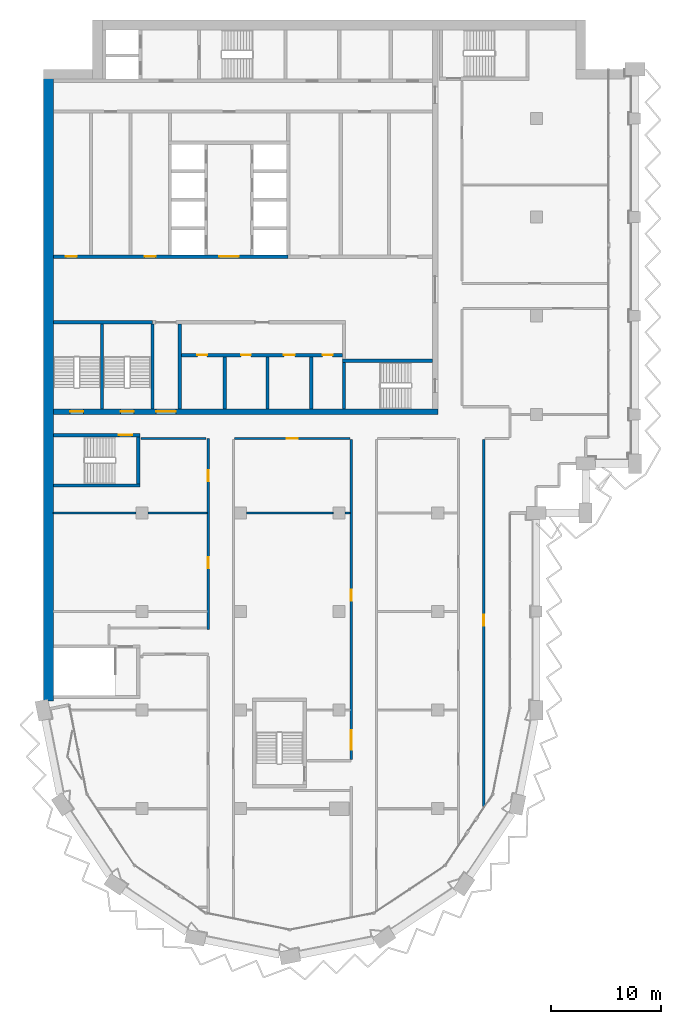
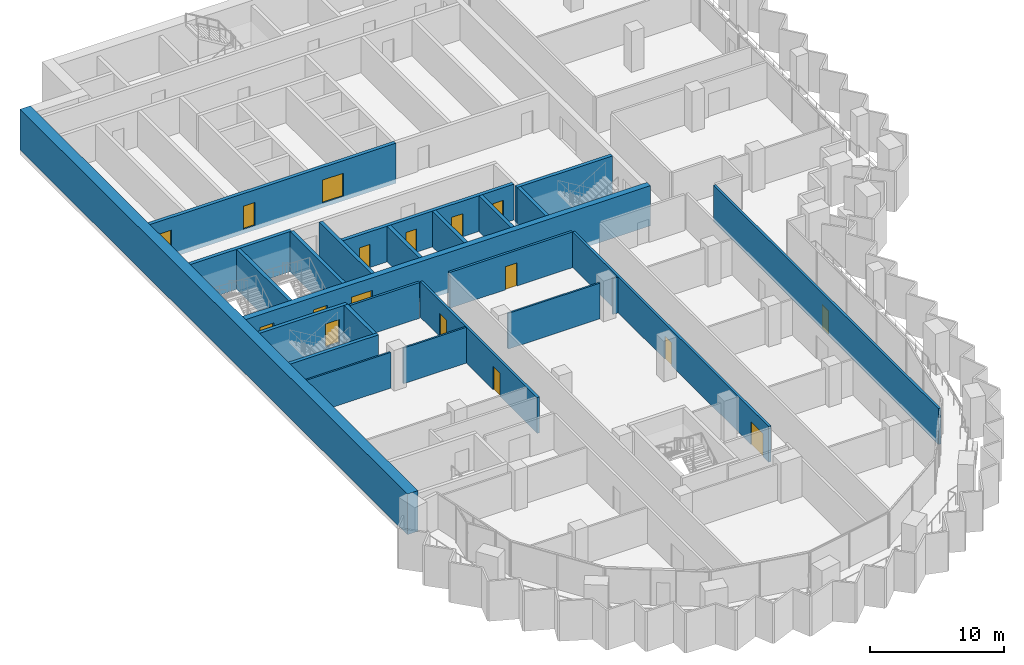
# One storey, part 10 of 18: 25 walls, 17 doors, 17 openings.
"""IFC4 building model written with IfcOpenShell, lengths in metres."""

from ifc_helpers import new_model, si_unit, direction, frame, frame_2d, origin, place, context, subcontext, project, spatial, rectangle, extrude, material, layer, layer_set, type_object, element, fill, save


model = new_model("IFC4")

# Units and contexts
model_context = context("Model", 3, precision=1e-05, world=origin(), true_north=direction((0.0, 1.0)))
body_context = subcontext(model_context, "Body", "Model", "MODEL_VIEW")
ifc_project = project(units=[si_unit("LENGTHUNIT", "METRE"), si_unit("AREAUNIT", "SQUARE_METRE"), si_unit("VOLUMEUNIT", "CUBIC_METRE"), si_unit("PLANEANGLEUNIT", "RADIAN"), si_unit("MASSUNIT", "GRAM", prefix="KILO")], contexts=[model_context])

# Site, building, storey
site_placement = place(None, origin())
site = spatial("IfcSite", under=ifc_project, at=site_placement, CompositionType="ELEMENT")
building_placement = place(site_placement, origin())
building = spatial("IfcBuilding", under=site, at=building_placement, Name="Hunhe Ridgeline Campus", CompositionType="ELEMENT")
storey_placement = place(building_placement, frame((0.0, 0.0, 223.5)))
storey = spatial("IfcBuildingStorey", under=building, at=storey_placement, Name="L57", CompositionType="ELEMENT", Elevation=223.5)

# Wall, openings, doors
ifc_material_1 = material(Name="Masonry concrete blockwork", Category="masonry")
ifc_layer_1 = layer(ifc_material_1, 0.300048828125)
ifc_layer_set_1 = layer_set([ifc_layer_1], Name="Core room partition 300 concrete block")
wall_type_1 = type_object("IfcWallType", Name="Core room partition 300 concrete block", PredefinedType="PARTITIONING", material=ifc_layer_set_1)
wall_1_placement = place(storey_placement, frame((12.60009765625, 68.39990234375, 0.0), z_axis=(0.0, 0.0, 1.0), x_axis=(1.0, 0.0, 0.0)))
wall_1 = element("IfcWall", 1, at=wall_1_placement, inside=storey, type_object=wall_type_1, Name="L57 core partition 9", PredefinedType="PARTITIONING", context=body_context, shape_type="SweptSolid", body=[
    extrude(rectangle(XDim=14.699951171875, YDim=0.300048828125, at=frame_2d((7.35009765625, 0.0))), origin(), (0.0, 0.0, 1.0), 3.25),
])
opening_1_placement = place(wall_1_placement, frame((1.449951171875, 0.0, 0.0)))
opening_1 = element("IfcOpeningElement", 2, at=opening_1_placement, cuts=wall_1, Name="Opening CD8", PredefinedType="OPENING", context=body_context, shape_type="SweptSolid", body=[
    extrude(rectangle(XDim=0.89990234375, YDim=2.10009765625, at=frame_2d((0.449951171875, 1.050048828125))), frame((0.0, 0.14990234375, 0.0), z_axis=(0.0, -1.0, 0.0), x_axis=(1.0, 0.0, 0.0)), (0.0, 0.0, 1.0), 0.300048828125),
])
opening_2_placement = place(wall_1_placement, frame((5.449951171875, 0.0, 0.0)))
opening_2 = element("IfcOpeningElement", 3, at=opening_2_placement, cuts=wall_1, Name="Opening CD9", PredefinedType="OPENING", context=body_context, shape_type="SweptSolid", body=[
    extrude(rectangle(XDim=0.89990234375, YDim=2.10009765625, at=frame_2d((0.449951171875, 1.050048828125))), frame((0.0, 0.14990234375, 0.0), z_axis=(0.0, -1.0, 0.0), x_axis=(1.0, 0.0, 0.0)), (0.0, 0.0, 1.0), 0.300048828125),
])
opening_3_placement = place(wall_1_placement, frame((9.35009765625, 0.0, 0.0)))
opening_3 = element("IfcOpeningElement", 4, at=opening_3_placement, cuts=wall_1, Name="Opening CD10", PredefinedType="OPENING", context=body_context, shape_type="SweptSolid", body=[
    extrude(rectangle(XDim=1.0, YDim=2.10009765625, at=frame_2d((0.5, 1.050048828125))), frame((0.0, 0.14990234375, 0.0), z_axis=(0.0, -1.0, 0.0), x_axis=(1.0, 0.0, 0.0)), (0.0, 0.0, 1.0), 0.300048828125),
])
opening_4_placement = place(wall_1_placement, frame((12.89990234375, 0.0, 0.0)))
opening_4 = element("IfcOpeningElement", 5, at=opening_4_placement, cuts=wall_1, Name="Opening CD11", PredefinedType="OPENING", context=body_context, shape_type="SweptSolid", body=[
    extrude(rectangle(XDim=0.89990234375, YDim=2.10009765625, at=frame_2d((0.449951171875, 1.050048828125))), frame((0.0, 0.14990234375, 0.0), z_axis=(0.0, -1.0, 0.0), x_axis=(1.0, 0.0, 0.0)), (0.0, 0.0, 1.0), 0.300048828125),
])
ifc_material_2 = material(Name="Solid core timber door leaf", Category="wood")
door_type_1 = type_object("IfcDoorType", Name="Timber door 1000x2100", OperationType="SINGLE_SWING_LEFT", PredefinedType="DOOR", material=ifc_material_2)
door_1_placement = place(opening_3_placement, frame((1.0, 0.0, 0.0), z_axis=(0.0, 0.0, 1.0), x_axis=(-1.0, 0.0, 0.0)))
door_1 = element("IfcDoor", 6, at=door_1_placement, inside=storey, type_object=door_type_1, Name="L57 door WC3", OperationType="SINGLE_SWING_LEFT", OverallHeight=2.10009765625, OverallWidth=1.0, PredefinedType="DOOR", context=body_context, shape_type="SweptSolid", body=[
    extrude(rectangle(XDim=1.0, YDim=2.10009765625, at=frame_2d((0.5, 1.050048828125))), frame((0.0, 0.02490234375, 0.0), z_axis=(0.0, -1.0, 0.0), x_axis=(1.0, 0.0, 0.0)), (0.0, 0.0, 1.0), 0.050048828125),
])
fill(opening_3, door_1)
door_type_2 = type_object("IfcDoorType", Name="Timber door 900x2100", OperationType="SINGLE_SWING_LEFT", PredefinedType="DOOR", material=ifc_material_2)
door_2_placement = place(opening_1_placement, frame((0.89990234375, 0.0, 0.0), z_axis=(0.0, 0.0, 1.0), x_axis=(-1.0, 0.0, 0.0)))
door_2 = element("IfcDoor", 7, at=door_2_placement, inside=storey, type_object=door_type_2, Name="L57 door WC1", OperationType="SINGLE_SWING_LEFT", OverallHeight=2.10009765625, OverallWidth=0.89990234375, PredefinedType="DOOR", context=body_context, shape_type="SweptSolid", body=[
    extrude(rectangle(XDim=0.89990234375, YDim=2.10009765625, at=frame_2d((0.449951171875, 1.050048828125))), frame((0.0, 0.02490234375, 0.0), z_axis=(0.0, -1.0, 0.0), x_axis=(1.0, 0.0, 0.0)), (0.0, 0.0, 1.0), 0.050048828125),
])
fill(opening_1, door_2)
door_3_placement = place(opening_2_placement, frame((0.89990234375, 0.0, 0.0), z_axis=(0.0, 0.0, 1.0), x_axis=(-1.0, 0.0, 0.0)))
door_3 = element("IfcDoor", 8, at=door_3_placement, inside=storey, type_object=door_type_2, Name="L57 door WC2", OperationType="SINGLE_SWING_RIGHT", OverallHeight=2.10009765625, OverallWidth=0.89990234375, PredefinedType="DOOR", context=body_context, shape_type="SweptSolid", body=[
    extrude(rectangle(XDim=0.89990234375, YDim=2.10009765625, at=frame_2d((0.449951171875, 1.050048828125))), frame((0.0, 0.02490234375, 0.0), z_axis=(0.0, -1.0, 0.0), x_axis=(1.0, 0.0, 0.0)), (0.0, 0.0, 1.0), 0.050048828125),
])
fill(opening_2, door_3)
door_4_placement = place(opening_4_placement, frame((0.89990234375, 0.0, 0.0), z_axis=(0.0, 0.0, 1.0), x_axis=(-1.0, 0.0, 0.0)))
door_4 = element("IfcDoor", 9, at=door_4_placement, inside=storey, type_object=door_type_2, Name="L57 door WC4", OperationType="SINGLE_SWING_RIGHT", OverallHeight=2.10009765625, OverallWidth=0.89990234375, PredefinedType="DOOR", context=body_context, shape_type="SweptSolid", body=[
    extrude(rectangle(XDim=0.89990234375, YDim=2.10009765625, at=frame_2d((0.449951171875, 1.050048828125))), frame((0.0, 0.02490234375, 0.0), z_axis=(0.0, -1.0, 0.0), x_axis=(1.0, 0.0, 0.0)), (0.0, 0.0, 1.0), 0.050048828125),
])
fill(opening_4, door_4)

# Walls
wall_2_placement = place(storey_placement, frame((12.449951171875, 63.5, 0.0), z_axis=(0.0, 0.0, 1.0), x_axis=(0.0, 1.0, 0.0)))
element("IfcWall", 10, at=wall_2_placement, inside=storey, type_object=wall_type_1, Name="L57 core partition 35", PredefinedType="PARTITIONING", context=body_context, shape_type="SweptSolid", body=[
    extrude(rectangle(XDim=7.75, YDim=0.300048828125, at=frame_2d((3.875, 0.0))), origin(), (0.0, 0.0, 1.0), 3.25),
])
for number, where, z_axis, x_axis, name in (
    (11, (16.550048828125, 63.5, 0.0), (0.0, 0.0, 1.0), (0.0, 1.0, 0.0), "L57 core partition 38"),
    (12, (20.449951171875, 63.5, 0.0), (0.0, 0.0, 1.0), (0.0, 1.0, 0.0), "L57 core partition 41"),
    (13, (24.449951171875, 63.5, 0.0), (0.0, 0.0, 1.0), (0.0, 1.0, 0.0), "L57 core partition 46"),
):
    element("IfcWall", number, at=place(storey_placement, frame(where, z_axis=z_axis, x_axis=x_axis)), inside=storey, type_object=wall_type_1, Name=name, PredefinedType="PARTITIONING", context=body_context, shape_type="SweptSolid", body=[
        extrude(rectangle(XDim=4.75, YDim=0.300048828125, at=frame_2d((2.375, 0.0))), origin(), (0.0, 0.0, 1.0), 3.25),
    ])

# Wall, openings, doors
ifc_material_3 = material(Name="Concrete C60", Category="concrete")
ifc_layer_2 = layer(ifc_material_3, 0.5)
ifc_layer_set_2 = layer_set([ifc_layer_2], Name="Core wall 500 reinforced concrete C60")
wall_type_2 = type_object("IfcWallType", Name="Core wall 500 reinforced concrete C60", PredefinedType="SOLIDWALL", material=ifc_layer_set_2)
wall_3_placement = place(storey_placement, frame((0.89990234375, 63.25, -0.39990234375), z_axis=(0.0, 0.0, 1.0), x_axis=(1.0, 0.0, 0.0)))
wall_3 = element("IfcWall", 14, at=wall_3_placement, inside=storey, type_object=wall_type_2, Name="L57 core wall 7", PredefinedType="SOLIDWALL", context=body_context, shape_type="SweptSolid", body=[
    extrude(rectangle(XDim=35.10009765625, YDim=0.5, at=frame_2d((17.550048828125, 0.0))), origin(), (0.0, 0.0, 1.0), 3.64990234375),
])
opening_5_placement = place(wall_3_placement, frame((9.39990234375, 0.0, 0.39990234375)))
opening_5 = element("IfcOpeningElement", 15, at=opening_5_placement, cuts=wall_3, Name="Opening CD6", PredefinedType="OPENING", context=body_context, shape_type="SweptSolid", body=[
    extrude(rectangle(XDim=1.800048828125, YDim=2.10009765625, at=frame_2d((0.89990234375, 1.050048828125))), frame((0.0, 0.25, 0.0), z_axis=(0.0, -1.0, 0.0), x_axis=(1.0, 0.0, 0.0)), (0.0, 0.0, 1.0), 0.5),
])
opening_6_placement = place(wall_3_placement, frame((1.550048828125, 0.0, 0.39990234375)))
opening_6 = element("IfcOpeningElement", 16, at=opening_6_placement, cuts=wall_3, Name="Opening CD13", PredefinedType="OPENING", context=body_context, shape_type="SweptSolid", body=[
    extrude(rectangle(XDim=1.199951171875, YDim=2.10009765625, at=frame_2d((0.60009765625, 1.050048828125))), frame((0.0, 0.25, 0.0), z_axis=(0.0, -1.0, 0.0), x_axis=(1.0, 0.0, 0.0)), (0.0, 0.0, 1.0), 0.5),
])
opening_7_placement = place(wall_3_placement, frame((6.14990234375, 0.0, 0.39990234375)))
opening_7 = element("IfcOpeningElement", 17, at=opening_7_placement, cuts=wall_3, Name="Opening CD14", PredefinedType="OPENING", context=body_context, shape_type="SweptSolid", body=[
    extrude(rectangle(XDim=1.199951171875, YDim=2.10009765625, at=frame_2d((0.60009765625, 1.050048828125))), frame((0.0, 0.25, 0.0), z_axis=(0.0, -1.0, 0.0), x_axis=(1.0, 0.0, 0.0)), (0.0, 0.0, 1.0), 0.5),
])
ifc_material_4 = material(Name="Anodised aluminium and glass", Category="aluminium")
door_type_3 = type_object("IfcDoorType", Name="Glazed double door 1800x2100", OperationType="DOUBLE_DOOR_SINGLE_SWING", PredefinedType="DOOR", material=ifc_material_4)
door_5_placement = place(opening_5_placement, frame((1.800048828125, 0.0, 0.0), z_axis=(0.0, 0.0, 1.0), x_axis=(-1.0, 0.0, 0.0)))
door_5 = element("IfcDoor", 18, at=door_5_placement, inside=storey, type_object=door_type_3, Name="L57 door VEST-FLOOR", OperationType="DOUBLE_DOOR_SINGLE_SWING", OverallHeight=2.10009765625, OverallWidth=1.800048828125, PredefinedType="DOOR", context=body_context, shape_type="SweptSolid", body=[
    extrude(rectangle(XDim=1.800048828125, YDim=2.10009765625, at=frame_2d((0.89990234375, 1.050048828125))), frame((0.0, 0.02490234375, 0.0), z_axis=(0.0, -1.0, 0.0), x_axis=(1.0, 0.0, 0.0)), (0.0, 0.0, 1.0), 0.050048828125),
])
fill(opening_5, door_5)
ifc_material_5 = material(Name="Hollow metal fire door leaf")
door_type_4 = type_object("IfcDoorType", Name="Stair door 1200x2100 FD60", OperationType="SINGLE_SWING_LEFT", PredefinedType="DOOR", material=ifc_material_5)
door_6_placement = place(opening_6_placement, frame((1.199951171875, 0.0, 0.0), z_axis=(0.0, 0.0, 1.0), x_axis=(-1.0, 0.0, 0.0)))
door_6 = element("IfcDoor", 19, at=door_6_placement, inside=storey, type_object=door_type_4, Name="L57 door S3", OperationType="SINGLE_SWING_LEFT", OverallHeight=2.10009765625, OverallWidth=1.199951171875, PredefinedType="DOOR", context=body_context, shape_type="SweptSolid", body=[
    extrude(rectangle(XDim=1.199951171875, YDim=2.10009765625, at=frame_2d((0.60009765625, 1.050048828125))), frame((0.0, 0.02490234375, 0.0), z_axis=(0.0, -1.0, 0.0), x_axis=(1.0, 0.0, 0.0)), (0.0, 0.0, 1.0), 0.050048828125),
])
fill(opening_6, door_6)
door_7_placement = place(opening_7_placement, frame((1.199951171875, 0.0, 0.0), z_axis=(0.0, 0.0, 1.0), x_axis=(-1.0, 0.0, 0.0)))
door_7 = element("IfcDoor", 20, at=door_7_placement, inside=storey, type_object=door_type_4, Name="L57 door S4", OperationType="SINGLE_SWING_RIGHT", OverallHeight=2.10009765625, OverallWidth=1.199951171875, PredefinedType="DOOR", context=body_context, shape_type="SweptSolid", body=[
    extrude(rectangle(XDim=1.199951171875, YDim=2.10009765625, at=frame_2d((0.60009765625, 1.050048828125))), frame((0.0, 0.02490234375, 0.0), z_axis=(0.0, -1.0, 0.0), x_axis=(1.0, 0.0, 0.0)), (0.0, 0.0, 1.0), 0.050048828125),
])
fill(opening_7, door_7)

# Wall
ifc_material_6 = material(Name="Gypsum board partition")
ifc_layer_3 = layer(ifc_material_6, 0.199951171875)
ifc_layer_set_3 = layer_set([ifc_layer_3], Name="Corridor partition 200 gypsum board on steel studs")
wall_type_3 = type_object("IfcWallType", Name="Corridor partition 200 gypsum board on steel studs", PredefinedType="PARTITIONING", material=ifc_layer_set_3)
wall_4_placement = place(storey_placement, frame((14.850341796875, 60.800048828125, 0.0), z_axis=(0.0, 0.0, 1.0), x_axis=(-1.0, 0.0, 0.0)))
element("IfcWall", 21, at=wall_4_placement, inside=storey, type_object=wall_type_3, Name="F-L57-wall-028", PredefinedType="PARTITIONING", context=body_context, shape_type="SweptSolid", body=[
    extrude(rectangle(XDim=5.9462890625, YDim=0.199951171875, at=frame_2d((2.97314453125, 0.0))), origin(), (0.0, 0.0, 1.0), 3.25),
])

# Wall, opening, door
wall_5_placement = place(storey_placement, frame((28.0, 60.800048828125, 0.0), z_axis=(0.0, 0.0, 1.0), x_axis=(-1.0, 0.0, 0.0)))
wall_5 = element("IfcWall", 22, at=wall_5_placement, inside=storey, type_object=wall_type_3, Name="F-L57-wall-029", PredefinedType="PARTITIONING", context=body_context, shape_type="SweptSolid", body=[
    extrude(rectangle(XDim=10.550048828125, YDim=0.199951171875, at=frame_2d((5.27490234375, 0.0))), origin(), (0.0, 0.0, 1.0), 3.25),
])
opening_8_placement = place(wall_5_placement, frame((4.77490234375, 0.0, 0.0)))
opening_8 = element("IfcOpeningElement", 23, at=opening_8_placement, cuts=wall_5, Name="Opening RD1-016", PredefinedType="OPENING", context=body_context, shape_type="SweptSolid", body=[
    extrude(rectangle(XDim=1.0, YDim=2.10009765625, at=frame_2d((0.5, 1.050048828125))), frame((0.0, 0.10009765625, 0.0), z_axis=(0.0, -1.0, 0.0), x_axis=(1.0, 0.0, 0.0)), (0.0, 0.0, 1.0), 0.199951171875),
])
ifc_material_7 = material(Name="Timber door leaf", Category="wood")
door_type_5 = type_object("IfcDoorType", Name="Single fire door 1000x2100 timber FD60", OperationType="NOTDEFINED", PredefinedType="DOOR", material=ifc_material_7)
door_8_placement = place(opening_8_placement, origin())
door_8 = element("IfcDoor", 24, at=door_8_placement, inside=storey, type_object=door_type_5, Name="F-L57-door-016", OperationType="SINGLE_SWING_LEFT", OverallHeight=2.10009765625, OverallWidth=1.0, PredefinedType="DOOR", context=body_context, shape_type="SweptSolid", body=[
    extrude(rectangle(XDim=1.0, YDim=2.10009765625, at=frame_2d((0.5, 1.050048828125))), frame((0.0, 0.02490234375, 0.0), z_axis=(0.0, -1.0, 0.0), x_axis=(1.0, 0.0, 0.0)), (0.0, 0.0, 1.0), 0.050048828125),
])
fill(opening_8, door_8)

# Wall, openings, doors
wall_6_placement = place(storey_placement, frame((15.050048828125, 43.37451171875, 0.0), z_axis=(0.0, 0.0, 1.0), x_axis=(0.0, 1.0, 0.0)))
wall_6 = element("IfcWall", 25, at=wall_6_placement, inside=storey, type_object=wall_type_3, Name="F-L57-wall-041", PredefinedType="PARTITIONING", context=body_context, shape_type="SweptSolid", body=[
    extrude(rectangle(XDim=17.425537109375, YDim=0.199951171875, at=frame_2d((8.712890625, 0.0))), origin(), (0.0, 0.0, 1.0), 3.25),
])
opening_9_placement = place(wall_6_placement, frame((5.56103515625, 0.0, 0.0)))
opening_9 = element("IfcOpeningElement", 26, at=opening_9_placement, cuts=wall_6, Name="Opening RD1-013", PredefinedType="OPENING", context=body_context, shape_type="SweptSolid", body=[
    extrude(rectangle(XDim=1.0, YDim=2.10009765625, at=frame_2d((0.5, 1.050048828125))), frame((0.0, 0.10009765625, 0.0), z_axis=(0.0, -1.0, 0.0), x_axis=(1.0, 0.0, 0.0)), (0.0, 0.0, 1.0), 0.199951171875),
])
opening_10_placement = place(wall_6_placement, frame((13.51611328125, 0.0, 0.0)))
opening_10 = element("IfcOpeningElement", 27, at=opening_10_placement, cuts=wall_6, Name="Opening RD1-015", PredefinedType="OPENING", context=body_context, shape_type="SweptSolid", body=[
    extrude(rectangle(XDim=1.0, YDim=2.10009765625, at=frame_2d((0.5, 1.050048828125))), frame((0.0, 0.10009765625, 0.0), z_axis=(0.0, -1.0, 0.0), x_axis=(1.0, 0.0, 0.0)), (0.0, 0.0, 1.0), 0.199951171875),
])
door_9_placement = place(opening_9_placement, origin())
door_9 = element("IfcDoor", 28, at=door_9_placement, inside=storey, type_object=door_type_5, Name="F-L57-door-013", OperationType="SINGLE_SWING_RIGHT", OverallHeight=2.10009765625, OverallWidth=1.0, PredefinedType="DOOR", context=body_context, shape_type="SweptSolid", body=[
    extrude(rectangle(XDim=1.0, YDim=2.10009765625, at=frame_2d((0.5, 1.050048828125))), frame((0.0, 0.02490234375, 0.0), z_axis=(0.0, -1.0, 0.0), x_axis=(1.0, 0.0, 0.0)), (0.0, 0.0, 1.0), 0.050048828125),
])
fill(opening_9, door_9)
door_10_placement = place(opening_10_placement, origin())
door_10 = element("IfcDoor", 29, at=door_10_placement, inside=storey, type_object=door_type_5, Name="F-L57-door-015", OperationType="SINGLE_SWING_LEFT", OverallHeight=2.10009765625, OverallWidth=1.0, PredefinedType="DOOR", context=body_context, shape_type="SweptSolid", body=[
    extrude(rectangle(XDim=1.0, YDim=2.10009765625, at=frame_2d((0.5, 1.050048828125))), frame((0.0, 0.02490234375, 0.0), z_axis=(0.0, -1.0, 0.0), x_axis=(1.0, 0.0, 0.0)), (0.0, 0.0, 1.0), 0.050048828125),
])
fill(opening_10, door_10)

wall_7_placement = place(storey_placement, frame((28.10009765625, 31.512451171875, 0.0), z_axis=(0.0, 0.0, 1.0), x_axis=(0.0, 1.0, 0.0)))
wall_7 = element("IfcWall", 30, at=wall_7_placement, inside=storey, type_object=wall_type_3, Name="F-L57-wall-044", PredefinedType="PARTITIONING", context=body_context, shape_type="SweptSolid", body=[
    extrude(rectangle(XDim=29.1875, YDim=0.199951171875, at=frame_2d((14.59375, 0.0))), origin(), (0.0, 0.0, 1.0), 3.25),
])
opening_11_placement = place(wall_7_placement, frame((0.864501953125, 0.0, 0.0)))
opening_11 = element("IfcOpeningElement", 31, at=opening_11_placement, cuts=wall_7, Name="Opening RD2-007", PredefinedType="OPENING", context=body_context, shape_type="SweptSolid", body=[
    extrude(rectangle(XDim=1.800048828125, YDim=2.10009765625, at=frame_2d((0.89990234375, 1.050048828125))), frame((0.0, 0.10009765625, 0.0), z_axis=(0.0, -1.0, 0.0), x_axis=(1.0, 0.0, 0.0)), (0.0, 0.0, 1.0), 0.199951171875),
])
opening_12_placement = place(wall_7_placement, frame((14.46142578125, 0.0, 0.0)))
opening_12 = element("IfcOpeningElement", 32, at=opening_12_placement, cuts=wall_7, Name="Opening RD1-012", PredefinedType="OPENING", context=body_context, shape_type="SweptSolid", body=[
    extrude(rectangle(XDim=1.0, YDim=2.10009765625, at=frame_2d((0.5, 1.050048828125))), frame((0.0, 0.10009765625, 0.0), z_axis=(0.0, -1.0, 0.0), x_axis=(1.0, 0.0, 0.0)), (0.0, 0.0, 1.0), 0.199951171875),
])
door_type_6 = type_object("IfcDoorType", Name="Double fire door 1800x2100 timber FD60", OperationType="DOUBLE_DOOR_SINGLE_SWING", PredefinedType="DOOR", material=ifc_material_7)
door_11_placement = place(opening_11_placement, origin())
door_11 = element("IfcDoor", 33, at=door_11_placement, inside=storey, type_object=door_type_6, Name="F-L57-door-007", OperationType="DOUBLE_DOOR_SINGLE_SWING", OverallHeight=2.10009765625, OverallWidth=1.800048828125, PredefinedType="DOOR", context=body_context, shape_type="SweptSolid", body=[
    extrude(rectangle(XDim=1.800048828125, YDim=2.10009765625, at=frame_2d((0.89990234375, 1.050048828125))), frame((0.0, 0.02490234375, 0.0), z_axis=(0.0, -1.0, 0.0), x_axis=(1.0, 0.0, 0.0)), (0.0, 0.0, 1.0), 0.050048828125),
])
fill(opening_11, door_11)
door_12_placement = place(opening_12_placement, origin())
door_12 = element("IfcDoor", 34, at=door_12_placement, inside=storey, type_object=door_type_5, Name="F-L57-door-012", OperationType="SINGLE_SWING_RIGHT", OverallHeight=2.10009765625, OverallWidth=1.0, PredefinedType="DOOR", context=body_context, shape_type="SweptSolid", body=[
    extrude(rectangle(XDim=1.0, YDim=2.10009765625, at=frame_2d((0.5, 1.050048828125))), frame((0.0, 0.02490234375, 0.0), z_axis=(0.0, -1.0, 0.0), x_axis=(1.0, 0.0, 0.0)), (0.0, 0.0, 1.0), 0.050048828125),
])
fill(opening_12, door_12)

# Wall, opening, door
wall_8_placement = place(storey_placement, frame((40.199951171875, 60.699951171875, 0.0), z_axis=(0.0, 0.0, 1.0), x_axis=(0.0, -1.0, 0.0)))
wall_8 = element("IfcWall", 35, at=wall_8_placement, inside=storey, type_object=wall_type_3, Name="F-L57-wall-049", PredefinedType="PARTITIONING", context=body_context, shape_type="SweptSolid", body=[
    extrude(rectangle(XDim=33.511962890625, YDim=0.199951171875, at=frame_2d((16.755859375, 0.0))), origin(), (0.0, 0.0, 1.0), 3.25),
])
opening_13_placement = place(wall_8_placement, frame((16.005859375, 0.0, 0.0)))
opening_13 = element("IfcOpeningElement", 36, at=opening_13_placement, cuts=wall_8, Name="Opening RD1-011", PredefinedType="OPENING", context=body_context, shape_type="SweptSolid", body=[
    extrude(rectangle(XDim=1.0, YDim=2.10009765625, at=frame_2d((0.5, 1.050048828125))), frame((0.0, 0.10009765625, 0.0), z_axis=(0.0, -1.0, 0.0), x_axis=(1.0, 0.0, 0.0)), (0.0, 0.0, 1.0), 0.199951171875),
])
door_13_placement = place(opening_13_placement, origin())
door_13 = element("IfcDoor", 37, at=door_13_placement, inside=storey, type_object=door_type_5, Name="F-L57-door-011", OperationType="SINGLE_SWING_RIGHT", OverallHeight=2.10009765625, OverallWidth=1.0, PredefinedType="DOOR", context=body_context, shape_type="SweptSolid", body=[
    extrude(rectangle(XDim=1.0, YDim=2.10009765625, at=frame_2d((0.5, 1.050048828125))), frame((0.0, 0.02490234375, 0.0), z_axis=(0.0, -1.0, 0.0), x_axis=(1.0, 0.0, 0.0)), (0.0, 0.0, 1.0), 0.050048828125),
])
fill(opening_13, door_13)

# Walls
ifc_layer_4 = layer(ifc_material_6, 0.14990234375)
ifc_layer_set_4 = layer_set([ifc_layer_4], Name="Room partition 150 gypsum board on steel studs")
wall_type_4 = type_object("IfcWallType", Name="Room partition 150 gypsum board on steel studs", PredefinedType="PARTITIONING", material=ifc_layer_set_4)
wall_9_placement = place(storey_placement, frame((0.919921875, 54.0, 0.0), z_axis=(0.0, 0.0, 1.0), x_axis=(1.0, 0.0, 0.0)))
element("IfcWall", 38, at=wall_9_placement, inside=storey, type_object=wall_type_4, Name="F-L57-wall-022", PredefinedType="PARTITIONING", context=body_context, shape_type="SweptSolid", body=[
    extrude(rectangle(XDim=7.530029296875, YDim=0.14990234375, at=frame_2d((3.76513671875, 0.0))), origin(), (0.0, 0.0, 1.0), 3.25),
])
wall_10_placement = place(storey_placement, frame((9.550048828125, 54.0, 0.0), z_axis=(0.0, 0.0, 1.0), x_axis=(1.0, 0.0, 0.0)))
element("IfcWall", 39, at=wall_10_placement, inside=storey, type_object=wall_type_4, Name="F-L57-wall-023", PredefinedType="PARTITIONING", context=body_context, shape_type="SweptSolid", body=[
    extrude(rectangle(XDim=5.39990234375, YDim=0.14990234375, at=frame_2d((2.699951171875, 0.0))), origin(), (0.0, 0.0, 1.0), 3.25),
])
wall_11_placement = place(storey_placement, frame((18.550048828125, 54.0, 0.0), z_axis=(0.0, 0.0, 1.0), x_axis=(1.0, 0.0, 0.0)))
element("IfcWall", 40, at=wall_11_placement, inside=storey, type_object=wall_type_4, Name="F-L57-wall-024", PredefinedType="PARTITIONING", context=body_context, shape_type="SweptSolid", body=[
    extrude(rectangle(XDim=7.89990234375, YDim=0.14990234375, at=frame_2d((3.949951171875, 0.0))), origin(), (0.0, 0.0, 1.0), 3.25),
])
wall_12_placement = place(storey_placement, frame((27.550048828125, 54.0, 0.0), z_axis=(0.0, 0.0, 1.0), x_axis=(1.0, 0.0, 0.0)))
element("IfcWall", 41, at=wall_12_placement, inside=storey, type_object=wall_type_4, Name="F-L57-wall-025", PredefinedType="PARTITIONING", context=body_context, shape_type="SweptSolid", body=[
    extrude(rectangle(XDim=0.449951171875, YDim=0.14990234375, at=frame_2d((0.22509765625, 0.0))), origin(), (0.0, 0.0, 1.0), 3.25),
])

# Wall, openings, doors
ifc_layer_5 = layer(ifc_material_3, 0.300048828125)
ifc_layer_set_5 = layer_set([ifc_layer_5], Name="Shaft wall 300 reinforced concrete C60")
wall_type_5 = type_object("IfcWallType", Name="Shaft wall 300 reinforced concrete C60", PredefinedType="SOLIDWALL", material=ifc_layer_set_5)
wall_13_placement = place(storey_placement, frame((0.89990234375, 77.39990234375, -0.39990234375), z_axis=(0.0, 0.0, 1.0), x_axis=(1.0, 0.0, 0.0)))
wall_13 = element("IfcWall", 42, at=wall_13_placement, inside=storey, type_object=wall_type_5, Name="L57 core wall 12", PredefinedType="SOLIDWALL", context=body_context, shape_type="SweptSolid", body=[
    extrude(rectangle(XDim=21.4501953125, YDim=0.300048828125, at=frame_2d((10.72509765625, 0.0))), origin(), (0.0, 0.0, 1.0), 3.64990234375),
])
opening_14_placement = place(wall_13_placement, frame((15.14990234375, 0.0, 0.39990234375)))
opening_14 = element("IfcOpeningElement", 43, at=opening_14_placement, cuts=wall_13, Name="Opening CD38", PredefinedType="OPENING", context=body_context, shape_type="SweptSolid", body=[
    extrude(rectangle(XDim=1.800048828125, YDim=2.10009765625, at=frame_2d((0.89990234375, 1.050048828125))), frame((0.0, 0.14990234375, 0.0), z_axis=(0.0, -1.0, 0.0), x_axis=(1.0, 0.0, 0.0)), (0.0, 0.0, 1.0), 0.300048828125),
])
opening_15_placement = place(wall_13_placement, frame((1.14990234375, 0.0, 0.39990234375)))
opening_15 = element("IfcOpeningElement", 44, at=opening_15_placement, cuts=wall_13, Name="Opening CD39", PredefinedType="OPENING", context=body_context, shape_type="SweptSolid", body=[
    extrude(rectangle(XDim=1.0, YDim=2.10009765625, at=frame_2d((0.5, 1.050048828125))), frame((0.0, 0.14990234375, 0.0), z_axis=(0.0, -1.0, 0.0), x_axis=(1.0, 0.0, 0.0)), (0.0, 0.0, 1.0), 0.300048828125),
])
opening_16_placement = place(wall_13_placement, frame((8.35009765625, 0.0, 0.39990234375)))
opening_16 = element("IfcOpeningElement", 45, at=opening_16_placement, cuts=wall_13, Name="Opening CD41", PredefinedType="OPENING", context=body_context, shape_type="SweptSolid", body=[
    extrude(rectangle(XDim=1.0, YDim=2.10009765625, at=frame_2d((0.5, 1.050048828125))), frame((0.0, 0.14990234375, 0.0), z_axis=(0.0, -1.0, 0.0), x_axis=(1.0, 0.0, 0.0)), (0.0, 0.0, 1.0), 0.300048828125),
])
door_type_7 = type_object("IfcDoorType", Name="Lobby door 1800x2100 FD60", OperationType="SINGLE_SWING_LEFT", PredefinedType="DOOR", material=ifc_material_5)
door_14_placement = place(opening_14_placement, frame((1.800048828125, 0.0, 0.0), z_axis=(0.0, 0.0, 1.0), x_axis=(-1.0, 0.0, 0.0)))
door_14 = element("IfcDoor", 46, at=door_14_placement, inside=storey, type_object=door_type_7, Name="L57 door LOB-HR", OperationType="SINGLE_SWING_RIGHT", OverallHeight=2.10009765625, OverallWidth=1.800048828125, PredefinedType="DOOR", context=body_context, shape_type="SweptSolid", body=[
    extrude(rectangle(XDim=1.800048828125, YDim=2.10009765625, at=frame_2d((0.89990234375, 1.050048828125))), frame((0.0, 0.02490234375, 0.0), z_axis=(0.0, -1.0, 0.0), x_axis=(1.0, 0.0, 0.0)), (0.0, 0.0, 1.0), 0.050048828125),
])
fill(opening_14, door_14)
door_15_placement = place(opening_15_placement, origin())
door_15 = element("IfcDoor", 47, at=door_15_placement, inside=storey, type_object=door_type_1, Name="L57 door VD-LR0", OperationType="SINGLE_SWING_LEFT", OverallHeight=2.10009765625, OverallWidth=1.0, PredefinedType="DOOR", context=body_context, shape_type="SweptSolid", body=[
    extrude(rectangle(XDim=1.0, YDim=2.10009765625, at=frame_2d((0.5, 1.050048828125))), frame((0.0, 0.02490234375, 0.0), z_axis=(0.0, -1.0, 0.0), x_axis=(1.0, 0.0, 0.0)), (0.0, 0.0, 1.0), 0.050048828125),
])
fill(opening_15, door_15)
door_16_placement = place(opening_16_placement, origin())
door_16 = element("IfcDoor", 48, at=door_16_placement, inside=storey, type_object=door_type_1, Name="L57 door VD-LR2", OperationType="SINGLE_SWING_LEFT", OverallHeight=2.10009765625, OverallWidth=1.0, PredefinedType="DOOR", context=body_context, shape_type="SweptSolid", body=[
    extrude(rectangle(XDim=1.0, YDim=2.10009765625, at=frame_2d((0.5, 1.050048828125))), frame((0.0, 0.02490234375, 0.0), z_axis=(0.0, -1.0, 0.0), x_axis=(1.0, 0.0, 0.0)), (0.0, 0.0, 1.0), 0.050048828125),
])
fill(opening_16, door_16)

# Walls
ifc_layer_6 = layer(ifc_material_3, 0.89990234375)
ifc_layer_set_6 = layer_set([ifc_layer_6], Name="Spine wall 900 Concrete C60")
wall_type_6 = type_object("IfcWallType", Name="Spine wall 900 Concrete C60", PredefinedType="SHEAR", material=ifc_layer_set_6)
wall_14_placement = place(storey_placement, frame((0.449951171875, 94.5, 0.0), z_axis=(0.0, 0.0, 1.0), x_axis=(0.0, -1.0, 0.0)))
element("IfcWall", 49, at=wall_14_placement, inside=storey, type_object=wall_type_6, Name="Spine wall SW3-1 L57", PredefinedType="SHEAR", context=body_context, shape_type="SweptSolid", body=[
    extrude(rectangle(XDim=57.686767578125, YDim=0.89990234375, at=frame_2d((28.84326171875, 0.0))), origin(), (0.0, 0.0, 1.0), 3.699951171875),
])
ifc_layer_7 = layer(ifc_material_3, 0.300048828125)
ifc_layer_set_7 = layer_set([ifc_layer_7], Name="Stair wall 300 reinforced concrete C60")
wall_type_7 = type_object("IfcWallType", Name="Stair wall 300 reinforced concrete C60", PredefinedType="SOLIDWALL", material=ifc_layer_set_7)
wall_15_placement = place(storey_placement, frame((0.89990234375, 56.5, -0.39990234375), z_axis=(0.0, 0.0, 1.0), x_axis=(1.0, 0.0, 0.0)))
element("IfcWall", 50, at=wall_15_placement, inside=storey, type_object=wall_type_7, Name="L57 core wall 5", PredefinedType="SOLIDWALL", context=body_context, shape_type="SweptSolid", body=[
    extrude(rectangle(XDim=7.900146484375, YDim=0.300048828125, at=frame_2d((3.9501953125, 0.0))), origin(), (0.0, 0.0, 1.0), 3.64990234375),
])

# Wall, opening, door
wall_16_placement = place(storey_placement, frame((0.89990234375, 61.10009765625, -0.39990234375), z_axis=(0.0, 0.0, 1.0), x_axis=(1.0, 0.0, 0.0)))
wall_16 = element("IfcWall", 51, at=wall_16_placement, inside=storey, type_object=wall_type_7, Name="L57 core wall 6", PredefinedType="SOLIDWALL", context=body_context, shape_type="SweptSolid", body=[
    extrude(rectangle(XDim=7.900146484375, YDim=0.300048828125, at=frame_2d((3.9501953125, 0.0))), origin(), (0.0, 0.0, 1.0), 3.64990234375),
])
opening_17_placement = place(wall_16_placement, frame((6.0, 0.0, 0.39990234375)))
opening_17 = element("IfcOpeningElement", 52, at=opening_17_placement, cuts=wall_16, Name="Opening CD22", PredefinedType="OPENING", context=body_context, shape_type="SweptSolid", body=[
    extrude(rectangle(XDim=1.199951171875, YDim=2.10009765625, at=frame_2d((0.60009765625, 1.050048828125))), frame((0.0, 0.14990234375, 0.0), z_axis=(0.0, -1.0, 0.0), x_axis=(1.0, 0.0, 0.0)), (0.0, 0.0, 1.0), 0.300048828125),
])
door_17_placement = place(opening_17_placement, origin())
door_17 = element("IfcDoor", 53, at=door_17_placement, inside=storey, type_object=door_type_4, Name="L57 door W2", OperationType="SINGLE_SWING_RIGHT", OverallHeight=2.10009765625, OverallWidth=1.199951171875, PredefinedType="DOOR", context=body_context, shape_type="SweptSolid", body=[
    extrude(rectangle(XDim=1.199951171875, YDim=2.10009765625, at=frame_2d((0.60009765625, 1.050048828125))), frame((0.0, 0.02490234375, 0.0), z_axis=(0.0, -1.0, 0.0), x_axis=(1.0, 0.0, 0.0)), (0.0, 0.0, 1.0), 0.050048828125),
])
fill(opening_17, door_17)

# Walls
wall_17_placement = place(storey_placement, frame((27.300048828125, 67.89990234375, -0.39990234375), z_axis=(0.0, 0.0, 1.0), x_axis=(1.0, 0.0, 0.0)))
element("IfcWall", 54, at=wall_17_placement, inside=storey, type_object=wall_type_7, Name="L57 core wall 8", PredefinedType="SOLIDWALL", context=body_context, shape_type="SweptSolid", body=[
    extrude(rectangle(XDim=8.199951171875, YDim=0.300048828125, at=frame_2d((4.10009765625, 0.0))), origin(), (0.0, 0.0, 1.0), 3.64990234375),
])
wall_18_placement = place(storey_placement, frame((0.89990234375, 71.39990234375, -0.39990234375), z_axis=(0.0, 0.0, 1.0), x_axis=(1.0, 0.0, 0.0)))
element("IfcWall", 55, at=wall_18_placement, inside=storey, type_object=wall_type_7, Name="L57 core wall 10", PredefinedType="SOLIDWALL", context=body_context, shape_type="SweptSolid", body=[
    extrude(rectangle(XDim=9.050048828125, YDim=0.300048828125, at=frame_2d((4.52490234375, 0.0))), origin(), (0.0, 0.0, 1.0), 3.64990234375),
])
wall_19_placement = place(storey_placement, frame((5.35009765625, 63.5, -0.39990234375), z_axis=(0.0, 0.0, 1.0), x_axis=(0.0, 1.0, 0.0)))
element("IfcWall", 56, at=wall_19_placement, inside=storey, type_object=wall_type_7, Name="L57 core wall 26", PredefinedType="SOLIDWALL", context=body_context, shape_type="SweptSolid", body=[
    extrude(rectangle(XDim=7.75, YDim=0.300048828125, at=frame_2d((3.875, 0.0))), origin(), (0.0, 0.0, 1.0), 3.64990234375),
])
wall_20_placement = place(storey_placement, frame((8.64990234375, 56.64990234375, -0.39990234375), z_axis=(0.0, 0.0, 1.0), x_axis=(0.0, 1.0, 0.0)))
element("IfcWall", 57, at=wall_20_placement, inside=storey, type_object=wall_type_7, Name="L57 core wall 30", PredefinedType="SOLIDWALL", context=body_context, shape_type="SweptSolid", body=[
    extrude(rectangle(XDim=4.300048828125, YDim=0.300048828125, at=frame_2d((2.14990234375, 0.0))), origin(), (0.0, 0.0, 1.0), 3.64990234375),
])
wall_21_placement = place(storey_placement, frame((9.949951171875, 63.5, -0.39990234375), z_axis=(0.0, 0.0, 1.0), x_axis=(0.0, 1.0, 0.0)))
element("IfcWall", 58, at=wall_21_placement, inside=storey, type_object=wall_type_7, Name="L57 core wall 32", PredefinedType="SOLIDWALL", context=body_context, shape_type="SweptSolid", body=[
    extrude(rectangle(XDim=7.75, YDim=0.300048828125, at=frame_2d((3.875, 0.0))), origin(), (0.0, 0.0, 1.0), 3.64990234375),
])
wall_22_placement = place(storey_placement, frame((27.449951171875, 63.5, -0.39990234375), z_axis=(0.0, 0.0, 1.0), x_axis=(0.0, 1.0, 0.0)))
element("IfcWall", 59, at=wall_22_placement, inside=storey, type_object=wall_type_7, Name="L57 core wall 49", PredefinedType="SOLIDWALL", context=body_context, shape_type="SweptSolid", body=[
    extrude(rectangle(XDim=4.25, YDim=0.300048828125, at=frame_2d((2.125, 0.0))), origin(), (0.0, 0.0, 1.0), 3.64990234375),
])

save(model, "model.ifc")
